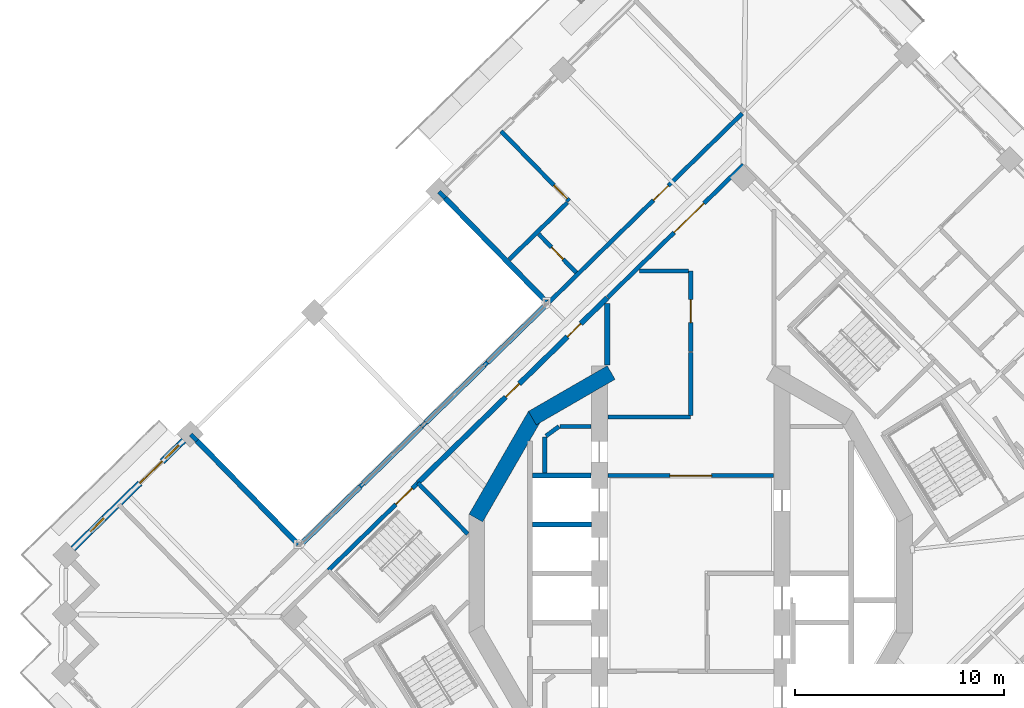
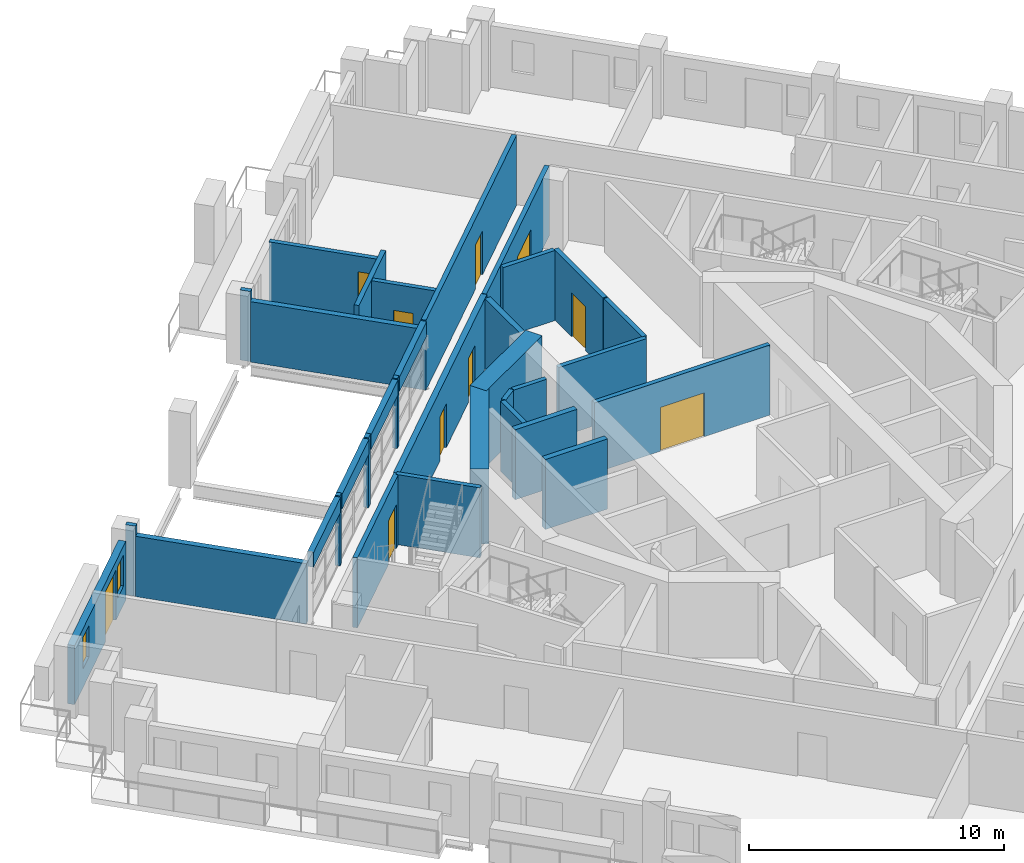
# One storey, part 11 of 21: 33 walls, 10 doors, 2 windows, 12 openings.
"""IFC4 building model written with IfcOpenShell, lengths in metres."""

from ifc_helpers import new_model, si_unit, direction, frame, frame_2d, origin, place, context, subcontext, project, spatial, rectangle, extrude, material, layer, layer_set, type_object, element, fill, save


model = new_model("IFC4")

# Units and contexts
model_context = context("Model", 3, precision=1e-05, world=origin(), true_north=direction((0.0, 1.0)))
body_context = subcontext(model_context, "Body", "Model", "MODEL_VIEW")
ifc_project = project(units=[si_unit("LENGTHUNIT", "METRE"), si_unit("AREAUNIT", "SQUARE_METRE"), si_unit("VOLUMEUNIT", "CUBIC_METRE"), si_unit("PLANEANGLEUNIT", "RADIAN"), si_unit("MASSUNIT", "GRAM", prefix="KILO")], contexts=[model_context])

# Site, building, storey
site_placement = place(None, origin())
site = spatial("IfcSite", under=ifc_project, at=site_placement, CompositionType="ELEMENT")
building_placement = place(site_placement, origin())
building = spatial("IfcBuilding", under=site, at=building_placement, Name="Cantera Rosa Tower", CompositionType="ELEMENT")
storey_placement = place(building_placement, frame((0.0, 0.0, 234.199951171875)))
storey = spatial("IfcBuildingStorey", under=building, at=storey_placement, Name="L51", CompositionType="ELEMENT", Elevation=234.199951171875)

# Wall, opening, door
ifc_material_1 = material(Name="Gypsum board partition")
ifc_layer_1 = layer(ifc_material_1, 0.199951171875)
ifc_layer_set_1 = layer_set([ifc_layer_1], Name="CORRIDOR WALL 200 H3350")
wall_type_1 = type_object("IfcWallType", Name="CORRIDOR WALL 200 H3350", PredefinedType="PARTITIONING", material=ifc_layer_set_1)
wall_1_placement = place(storey_placement, frame((-3.969970703125, 4.699951171875, 0.0), z_axis=(0.0, 0.0, 1.0), x_axis=(1.0, 0.0, 0.0)))
wall_1 = element("IfcWall", 1, at=wall_1_placement, inside=storey, type_object=wall_type_1, Name="CORRIDOR WALL L51-050", PredefinedType="PARTITIONING", context=body_context, shape_type="SweptSolid", body=[
    extrude(rectangle(XDim=7.93994140625, YDim=0.199951171875, at=frame_2d((3.969970703125, 0.0))), origin(), (0.0, 0.0, 1.0), 3.35009765625),
])
opening_1_placement = place(wall_1_placement, frame((2.969970703125, 0.0, 0.0)))
opening_1 = element("IfcOpeningElement", 2, at=opening_1_placement, cuts=wall_1, Name="Opening L51-014", PredefinedType="OPENING", context=body_context, shape_type="SweptSolid", body=[
    extrude(rectangle(XDim=2.0, YDim=2.10009765625, at=frame_2d((1.0, 1.050048828125))), frame((0.0, 0.10986328125, 0.0), z_axis=(0.0, -1.0, 0.0), x_axis=(1.0, 0.0, 0.0)), (0.0, 0.0, 1.0), 0.219970703125),
])
ifc_material_2 = material(Name="Steel S355J2 (EN 10025-2)", Category="steel")
door_type_1 = type_object("IfcDoorType", Name="LOBBY SCREEN DOOR 2000x2100", OperationType="NOTDEFINED", PredefinedType="DOOR", material=ifc_material_2)
door_1_placement = place(opening_1_placement, origin())
door_1 = element("IfcDoor", 3, at=door_1_placement, inside=storey, type_object=door_type_1, Name="DOOR L51-014", OperationType="NOTDEFINED", OverallHeight=2.10009765625, OverallWidth=2.0, PredefinedType="DOOR", context=body_context, shape_type="SweptSolid", body=[
    extrude(rectangle(XDim=2.0, YDim=2.10009765625, at=frame_2d((1.0, 1.050048828125))), frame((0.0, 0.02490234375, 0.0), z_axis=(0.0, -1.0, 0.0), x_axis=(1.0, 0.0, 0.0)), (0.0, 0.0, 1.0), 0.050048828125),
])
fill(opening_1, door_1)

# Walls
wall_2_placement = place(storey_placement, frame((-3.969970703125, 7.5, 0.0), z_axis=(0.0, 0.0, 1.0), x_axis=(1.0, 0.0, 0.0)))
element("IfcWall", 4, at=wall_2_placement, inside=storey, type_object=wall_type_1, Name="CORRIDOR WALL L51-051", PredefinedType="PARTITIONING", context=body_context, shape_type="SweptSolid", body=[
    extrude(rectangle(XDim=3.969970703125, YDim=0.199951171875, at=frame_2d((1.98486328125, 0.0))), origin(), (0.0, 0.0, 1.0), 3.35009765625),
])
wall_3_placement = place(storey_placement, frame((0.0, 7.580078125, 0.0), z_axis=(0.0, 0.0, 1.0), x_axis=(0.0, 1.0, 0.0)))
element("IfcWall", 5, at=wall_3_placement, inside=storey, type_object=wall_type_1, Name="CORRIDOR WALL L51-059", PredefinedType="PARTITIONING", context=body_context, shape_type="SweptSolid", body=[
    extrude(rectangle(XDim=3.01513671875, YDim=0.199951171875, at=frame_2d((1.507568359375, 0.0))), origin(), (0.0, 0.0, 1.0), 3.35009765625),
])

# Wall, opening, door
wall_4_placement = place(storey_placement, frame((0.0, 10.6552734375, 0.0), z_axis=(0.0, 0.0, 1.0), x_axis=(0.0, 1.0, 0.0)))
wall_4 = element("IfcWall", 6, at=wall_4_placement, inside=storey, type_object=wall_type_1, Name="CORRIDOR WALL L51-060", PredefinedType="PARTITIONING", context=body_context, shape_type="SweptSolid", body=[
    extrude(rectangle(XDim=3.8447265625, YDim=0.199951171875, at=frame_2d((1.92236328125, 0.0))), origin(), (0.0, 0.0, 1.0), 3.35009765625),
])
opening_2_placement = place(wall_4_placement, frame((1.372314453125, 0.0, 0.0)))
opening_2 = element("IfcOpeningElement", 7, at=opening_2_placement, cuts=wall_4, Name="Opening L51-018", PredefinedType="OPENING", context=body_context, shape_type="SweptSolid", body=[
    extrude(rectangle(XDim=1.10009765625, YDim=2.10009765625, at=frame_2d((0.550048828125, 1.050048828125))), frame((0.0, 0.10986328125, 0.0), z_axis=(0.0, -1.0, 0.0), x_axis=(1.0, 0.0, 0.0)), (0.0, 0.0, 1.0), 0.219970703125),
])
ifc_material_3 = material(Name="Timber door leaf", Category="wood")
door_type_2 = type_object("IfcDoorType", Name="ROOM DOOR 1100x2100", OperationType="NOTDEFINED", PredefinedType="DOOR", material=ifc_material_3)
door_2_placement = place(opening_2_placement, origin())
door_2 = element("IfcDoor", 8, at=door_2_placement, inside=storey, type_object=door_type_2, Name="DOOR L51-018", OperationType="NOTDEFINED", OverallHeight=2.10009765625, OverallWidth=1.10009765625, PredefinedType="DOOR", context=body_context, shape_type="SweptSolid", body=[
    extrude(rectangle(XDim=1.10009765625, YDim=2.10009765625, at=frame_2d((0.550048828125, 1.050048828125))), frame((0.0, 0.02490234375, 0.0), z_axis=(0.0, -1.0, 0.0), x_axis=(1.0, 0.0, 0.0)), (0.0, 0.0, 1.0), 0.050048828125),
])
fill(opening_2, door_2)

# Wall
wall_5_placement = place(storey_placement, frame((-0.10009765625, 14.5, 0.0), z_axis=(0.0, 0.0, 1.0), x_axis=(-1.0, 0.0, 0.0)))
element("IfcWall", 9, at=wall_5_placement, inside=storey, type_object=wall_type_1, Name="CORRIDOR WALL L51-061", PredefinedType="PARTITIONING", context=body_context, shape_type="SweptSolid", body=[
    extrude(rectangle(XDim=2.34765625, YDim=0.199951171875, at=frame_2d((1.173828125, 0.0))), origin(), (0.0, 0.0, 1.0), 3.35009765625),
])

# Wall, opening, door
wall_6_placement = place(storey_placement, frame((2.5263671875, 19.593994140625, 0.0), z_axis=(0.0, 0.0, 1.0), x_axis=(-0.715291692415, -0.698826011796, 0.0)))
wall_6 = element("IfcWall", 10, at=wall_6_placement, inside=storey, type_object=wall_type_1, Name="CORRIDOR WALL L51-066", PredefinedType="PARTITIONING", context=body_context, shape_type="SweptSolid", body=[
    extrude(rectangle(XDim=9.10400390625, YDim=0.199951171875, at=frame_2d((4.552001953125, 0.0))), origin(), (0.0, 0.0, 1.0), 3.35009765625),
])
opening_3_placement = place(wall_6_placement, frame((2.644775390625, 0.0, 0.0)))
opening_3 = element("IfcOpeningElement", 11, at=opening_3_placement, cuts=wall_6, Name="Opening L51-013", PredefinedType="OPENING", context=body_context, shape_type="SweptSolid", body=[
    extrude(rectangle(XDim=2.0, YDim=2.10009765625, at=frame_2d((1.0, 1.050048828125))), frame((0.0, 0.10986328125, 0.0), z_axis=(0.0, -1.0, 0.0), x_axis=(1.0, 0.0, 0.0)), (0.0, 0.0, 1.0), 0.219970703125),
])
door_3_placement = place(opening_3_placement, origin())
door_3 = element("IfcDoor", 12, at=door_3_placement, inside=storey, type_object=door_type_1, Name="DOOR L51-013", OperationType="NOTDEFINED", OverallHeight=2.10009765625, OverallWidth=2.0, PredefinedType="DOOR", context=body_context, shape_type="SweptSolid", body=[
    extrude(rectangle(XDim=2.0, YDim=2.10009765625, at=frame_2d((1.0, 1.050048828125))), frame((0.0, 0.02490234375, 0.0), z_axis=(0.0, -1.0, 0.0), x_axis=(1.0, 0.0, 0.0)), (0.0, 0.0, 1.0), 0.050048828125),
])
fill(opening_3, door_3)

wall_7_placement = place(storey_placement, frame((2.469970703125, 22.0556640625, 0.0), z_axis=(0.0, 0.0, 1.0), x_axis=(-0.715286788114, -0.698831031616, 0.0)))
wall_7 = element("IfcWall", 13, at=wall_7_placement, inside=storey, type_object=wall_type_1, Name="CORRIDOR WALL L51-067", PredefinedType="PARTITIONING", context=body_context, shape_type="SweptSolid", body=[
    extrude(rectangle(XDim=13.144775390625, YDim=0.199951171875, at=frame_2d((6.572265625, 0.0))), origin(), (0.0, 0.0, 1.0), 3.35009765625),
])
opening_4_placement = place(wall_7_placement, frame((4.949951171875, 0.0, 0.0)))
opening_4 = element("IfcOpeningElement", 14, at=opening_4_placement, cuts=wall_7, Name="Opening L51-034", PredefinedType="OPENING", context=body_context, shape_type="SweptSolid", body=[
    extrude(rectangle(XDim=1.0, YDim=2.10009765625, at=frame_2d((0.5, 1.050048828125))), frame((0.0, 0.10986328125, 0.0), z_axis=(0.0, -1.0, 0.0), x_axis=(1.0, 0.0, 0.0)), (0.0, 0.0, 1.0), 0.219970703125),
])
ifc_material_4 = material(Name="Timber door leaf", Category="wood")
door_type_3 = type_object("IfcDoorType", Name="ENTRANCE DOOR 1000x2100", OperationType="NOTDEFINED", PredefinedType="DOOR", material=ifc_material_4)
door_4_placement = place(opening_4_placement, origin())
door_4 = element("IfcDoor", 15, at=door_4_placement, inside=storey, type_object=door_type_3, Name="DOOR L51-034", OperationType="NOTDEFINED", OverallHeight=2.10009765625, OverallWidth=1.0, PredefinedType="DOOR", context=body_context, shape_type="SweptSolid", body=[
    extrude(rectangle(XDim=1.0, YDim=2.10009765625, at=frame_2d((0.5, 1.050048828125))), frame((0.0, 0.02490234375, 0.0), z_axis=(0.0, -1.0, 0.0), x_axis=(1.0, 0.0, 0.0)), (0.0, 0.0, 1.0), 0.050048828125),
])
fill(opening_4, door_4)

# Walls
wall_8_placement = place(storey_placement, frame((-9.740478515625, 10.1259765625, 0.0), z_axis=(0.0, 0.0, 1.0), x_axis=(-0.715454268006, -0.698659566879, 0.0)))
element("IfcWall", 16, at=wall_8_placement, inside=storey, type_object=wall_type_1, Name="CORRIDOR WALL L51-068", PredefinedType="PARTITIONING", context=body_context, shape_type="SweptSolid", body=[
    extrude(rectangle(XDim=0.218017578125, YDim=0.199951171875, at=frame_2d((0.10888671875, 0.0))), origin(), (0.0, 0.0, 1.0), 3.35009765625),
])
wall_9_placement = place(storey_placement, frame((-12.68896484375, 7.245361328125, 0.0), z_axis=(0.0, 0.0, 1.0), x_axis=(-0.715356884731, -0.698759277196, 0.0)))
element("IfcWall", 17, at=wall_9_placement, inside=storey, type_object=wall_type_1, Name="CORRIDOR WALL L51-069", PredefinedType="PARTITIONING", context=body_context, shape_type="SweptSolid", body=[
    extrude(rectangle(XDim=0.294189453125, YDim=0.199951171875, at=frame_2d((0.14697265625, 0.0))), origin(), (0.0, 0.0, 1.0), 3.35009765625),
])
wall_10_placement = place(storey_placement, frame((-15.69189453125, 4.311767578125, 0.0), z_axis=(0.0, 0.0, 1.0), x_axis=(-0.714347158541, -0.699791495436, 0.0)))
element("IfcWall", 18, at=wall_10_placement, inside=storey, type_object=wall_type_1, Name="CORRIDOR WALL L51-070", PredefinedType="PARTITIONING", context=body_context, shape_type="SweptSolid", body=[
    extrude(rectangle(XDim=0.218017578125, YDim=0.199951171875, at=frame_2d((0.10888671875, 0.0))), origin(), (0.0, 0.0, 1.0), 3.35009765625),
])

# Wall, openings, windows, door
ifc_material_5 = material(Name="Hollow clay masonry with cantera stone cladding", Category="masonry")
ifc_layer_2 = layer(ifc_material_5, 0.300048828125)
ifc_layer_set_2 = layer_set([ifc_layer_2], Name="EW-LOGGIA 300 H2820")
wall_type_2 = type_object("IfcWallType", Name="EW-LOGGIA 300 H2820", PredefinedType="SOLIDWALL", material=ifc_layer_set_2)
wall_11_placement = place(storey_placement, frame((-24.308349609375, 6.37841796875, 0.0), z_axis=(0.0, 0.0, 1.0), x_axis=(-0.715300826176, -0.698816662703, 0.0)))
wall_11 = element("IfcWall", 19, at=wall_11_placement, inside=storey, type_object=wall_type_2, Name="EN-L51-W11", PredefinedType="SOLIDWALL", context=body_context, shape_type="SweptSolid", body=[
    extrude(rectangle(XDim=7.420166015625, YDim=0.300048828125, at=frame_2d((3.7099609375, 0.0))), origin(), (0.0, 0.0, 1.0), 2.820068359375),
])
opening_5_placement = place(wall_11_placement, frame((0.330078125, 0.0, 0.89990234375)))
opening_5 = element("IfcOpeningElement", 20, at=opening_5_placement, cuts=wall_11, Name="Opening L51-W19", PredefinedType="OPENING", context=body_context, shape_type="SweptSolid", body=[
    extrude(rectangle(XDim=0.89990234375, YDim=1.5, at=frame_2d((0.449951171875, 0.75))), frame((0.0, 0.159912109375, 0.0), z_axis=(0.0, -1.0, 0.0), x_axis=(1.0, 0.0, 0.0)), (0.0, 0.0, 1.0), 0.320068359375),
])
opening_6_placement = place(wall_11_placement, frame((1.429931640625, 0.0, 0.0)))
opening_6 = element("IfcOpeningElement", 21, at=opening_6_placement, cuts=wall_11, Name="Opening L51-TD20", PredefinedType="OPENING", context=body_context, shape_type="SweptSolid", body=[
    extrude(rectangle(XDim=1.5, YDim=2.39990234375, at=frame_2d((0.75, 1.199951171875))), frame((0.0, 0.159912109375, 0.0), z_axis=(0.0, -1.0, 0.0), x_axis=(1.0, 0.0, 0.0)), (0.0, 0.0, 1.0), 0.320068359375),
])
opening_7_placement = place(wall_11_placement, frame((5.340087890625, 0.0, 0.89990234375)))
opening_7 = element("IfcOpeningElement", 22, at=opening_7_placement, cuts=wall_11, Name="Opening L51-W21", PredefinedType="OPENING", context=body_context, shape_type="SweptSolid", body=[
    extrude(rectangle(XDim=0.89990234375, YDim=1.5, at=frame_2d((0.449951171875, 0.75))), frame((0.0, 0.159912109375, 0.0), z_axis=(0.0, -1.0, 0.0), x_axis=(1.0, 0.0, 0.0)), (0.0, 0.0, 1.0), 0.320068359375),
])
ifc_material_6 = material(Name="Aluminium frame with clear glass", Category="aluminium")
window_type = type_object("IfcWindowType", Name="Residential window 900x1500", PartitioningType="SINGLE_PANEL", PredefinedType="WINDOW", material=ifc_material_6)
window_1_placement = place(opening_5_placement, origin())
window_1 = element("IfcWindow", 23, at=window_1_placement, inside=storey, type_object=window_type, Name="WINDOW L51-W19", OverallHeight=1.5, OverallWidth=0.89990234375, PartitioningType="SINGLE_PANEL", PredefinedType="WINDOW", context=body_context, shape_type="SweptSolid", body=[
    extrude(rectangle(XDim=0.89990234375, YDim=1.5, at=frame_2d((0.449951171875, 0.75))), frame((0.0, 0.030029296875, 0.0), z_axis=(0.0, -1.0, 0.0), x_axis=(1.0, 0.0, 0.0)), (0.0, 0.0, 1.0), 0.06005859375),
])
fill(opening_5, window_1)
window_2_placement = place(opening_7_placement, origin())
window_2 = element("IfcWindow", 24, at=window_2_placement, inside=storey, type_object=window_type, Name="WINDOW L51-W21", OverallHeight=1.5, OverallWidth=0.89990234375, PartitioningType="SINGLE_PANEL", PredefinedType="WINDOW", context=body_context, shape_type="SweptSolid", body=[
    extrude(rectangle(XDim=0.89990234375, YDim=1.5, at=frame_2d((0.449951171875, 0.75))), frame((0.0, 0.030029296875, 0.0), z_axis=(0.0, -1.0, 0.0), x_axis=(1.0, 0.0, 0.0)), (0.0, 0.0, 1.0), 0.06005859375),
])
fill(opening_7, window_2)
ifc_material_7 = material(Name="Aluminium frame with clear glass", Category="aluminium")
door_type_4 = type_object("IfcDoorType", Name="TD-R 1500x2400", OperationType="NOTDEFINED", PredefinedType="DOOR", material=ifc_material_7)
door_5_placement = place(opening_6_placement, origin())
door_5 = element("IfcDoor", 25, at=door_5_placement, inside=storey, type_object=door_type_4, Name="LOGGIA DOOR L51-TD20", OperationType="SLIDING_TO_LEFT", OverallHeight=2.39990234375, OverallWidth=1.5, PredefinedType="DOOR", context=body_context, shape_type="SweptSolid", body=[
    extrude(rectangle(XDim=1.5, YDim=2.39990234375, at=frame_2d((0.75, 1.199951171875))), frame((0.0, 0.02490234375, 0.0), z_axis=(0.0, -1.0, 0.0), x_axis=(1.0, 0.0, 0.0)), (0.0, 0.0, 1.0), 0.050048828125),
])
fill(opening_6, door_5)

# Walls
ifc_material_8 = material(Name="Concrete C40/50", Category="concrete")
ifc_layer_3 = layer(ifc_material_8, 0.25)
ifc_layer_set_3 = layer_set([ifc_layer_3], Name="EW-POCKET CHEEK 250 H2890")
wall_type_3 = type_object("IfcWallType", Name="EW-POCKET CHEEK 250 H2890", PredefinedType="SOLIDWALL", material=ifc_layer_set_3)
wall_12_placement = place(storey_placement, frame((-11.769775390625, 17.999755859375, 0.0), z_axis=(0.0, 0.0, 1.0), x_axis=(0.698821460183, -0.715296139223, 0.0)))
element("IfcWall", 26, at=wall_12_placement, inside=storey, type_object=wall_type_3, Name="POCKET CHEEK A L51", PredefinedType="SOLIDWALL", context=body_context, shape_type="SweptSolid", body=[
    extrude(rectangle(XDim=6.9501953125, YDim=0.25, at=frame_2d((3.47509765625, 0.0))), origin(), (0.0, 0.0, 1.0), 2.89013671875),
])
wall_13_placement = place(storey_placement, frame((-23.672119140625, 6.37109375, 0.0), z_axis=(0.0, 0.0, 1.0), x_axis=(0.69883901927, -0.715278984135, 0.0)))
element("IfcWall", 27, at=wall_13_placement, inside=storey, type_object=wall_type_3, Name="POCKET CHEEK B L51", PredefinedType="SOLIDWALL", context=body_context, shape_type="SweptSolid", body=[
    extrude(rectangle(XDim=6.949951171875, YDim=0.25, at=frame_2d((3.47509765625, 0.0))), origin(), (0.0, 0.0, 1.0), 2.89013671875),
])
ifc_material_9 = material(Name="Hollow clay masonry with cantera stone cladding", Category="masonry")
ifc_layer_4 = layer(ifc_material_9, 0.25)
ifc_layer_set_4 = layer_set([ifc_layer_4], Name="EW-POCKET REAR 250")
wall_type_4 = type_object("IfcWallType", Name="EW-POCKET REAR 250", PredefinedType="SOLIDWALL", material=ifc_layer_set_4)
wall_14_placement = place(storey_placement, frame((-6.932373046875, 12.86962890625, 2.592041015625), z_axis=(0.0, 0.0, 1.0), x_axis=(-0.715298105305, -0.698819447745, 0.0)))
element("IfcWall", 28, at=wall_14_placement, inside=storey, type_object=wall_type_4, Name="POCKET SPANDREL L51-1", PredefinedType="SOLIDWALL", context=body_context, shape_type="SweptSolid", body=[
    extrude(rectangle(XDim=3.926025390625, YDim=0.25, at=frame_2d((1.962890625, 0.0))), origin(), (0.0, 0.0, 1.0), 0.7080078125),
])
wall_15_placement = place(storey_placement, frame((-9.896484375, 9.9736328125, 2.592041015625), z_axis=(0.0, 0.0, 1.0), x_axis=(-0.715282395299, -0.698835527843, 0.0)))
element("IfcWall", 29, at=wall_15_placement, inside=storey, type_object=wall_type_4, Name="POCKET SPANDREL L51-2", PredefinedType="SOLIDWALL", context=body_context, shape_type="SweptSolid", body=[
    extrude(rectangle(XDim=3.904052734375, YDim=0.25, at=frame_2d((1.9521484375, 0.0))), origin(), (0.0, 0.0, 1.0), 0.7080078125),
])
wall_16_placement = place(storey_placement, frame((-12.8994140625, 7.039794921875, 2.592041015625), z_axis=(0.0, 0.0, 1.0), x_axis=(-0.7153136553, -0.698803530716, 0.0)))
element("IfcWall", 30, at=wall_16_placement, inside=storey, type_object=wall_type_4, Name="POCKET SPANDREL L51-3", PredefinedType="SOLIDWALL", context=body_context, shape_type="SweptSolid", body=[
    extrude(rectangle(XDim=3.90380859375, YDim=0.25, at=frame_2d((1.951904296875, 0.0))), origin(), (0.0, 0.0, 1.0), 0.7080078125),
])
wall_17_placement = place(storey_placement, frame((-15.84765625, 4.159423828125, 2.592041015625), z_axis=(0.0, 0.0, 1.0), x_axis=(-0.715298105305, -0.698819447745, 0.0)))
element("IfcWall", 31, at=wall_17_placement, inside=storey, type_object=wall_type_4, Name="POCKET SPANDREL L51-4", PredefinedType="SOLIDWALL", context=body_context, shape_type="SweptSolid", body=[
    extrude(rectangle(XDim=3.926025390625, YDim=0.25, at=frame_2d((1.962890625, 0.0))), origin(), (0.0, 0.0, 1.0), 0.7080078125),
])

# Wall, opening, door
ifc_material_10 = material(Name="Gypsum board partition")
ifc_layer_5 = layer(ifc_material_10, 0.199951171875)
ifc_layer_set_5 = layer_set([ifc_layer_5], Name="PARTITION 200 H2850")
wall_type_5 = type_object("IfcWallType", Name="PARTITION 200 H2850", PredefinedType="PARTITIONING", material=ifc_layer_set_5)
wall_18_placement = place(storey_placement, frame((-9.087646484375, 21.207275390625, 0.0), z_axis=(0.0, 0.0, 1.0), x_axis=(0.698824761261, -0.71529291416, 0.0)))
wall_18 = element("IfcWall", 32, at=wall_18_placement, inside=storey, type_object=wall_type_5, Name="PARTITION L51-026", PredefinedType="PARTITIONING", context=body_context, shape_type="SweptSolid", body=[
    extrude(rectangle(XDim=4.669921875, YDim=0.199951171875, at=frame_2d((2.3349609375, 0.0))), origin(), (0.0, 0.0, 1.0), 2.85009765625),
])
opening_8_placement = place(wall_18_placement, frame((3.6201171875, 0.0, 0.0)))
opening_8 = element("IfcOpeningElement", 33, at=opening_8_placement, cuts=wall_18, Name="Opening L51-036", PredefinedType="OPENING", context=body_context, shape_type="SweptSolid", body=[
    extrude(rectangle(XDim=0.89990234375, YDim=2.10009765625, at=frame_2d((0.449951171875, 1.050048828125))), frame((0.0, 0.10986328125, 0.0), z_axis=(0.0, -1.0, 0.0), x_axis=(1.0, 0.0, 0.0)), (0.0, 0.0, 1.0), 0.219970703125),
])
ifc_material_11 = material(Name="Timber door leaf", Category="wood")
door_type_5 = type_object("IfcDoorType", Name="ROOM DOOR 900x2100", OperationType="NOTDEFINED", PredefinedType="DOOR", material=ifc_material_11)
door_6_placement = place(opening_8_placement, origin())
door_6 = element("IfcDoor", 34, at=door_6_placement, inside=storey, type_object=door_type_5, Name="DOOR L51-036", OperationType="NOTDEFINED", OverallHeight=2.10009765625, OverallWidth=0.89990234375, PredefinedType="DOOR", context=body_context, shape_type="SweptSolid", body=[
    extrude(rectangle(XDim=0.89990234375, YDim=2.10009765625, at=frame_2d((0.449951171875, 1.050048828125))), frame((0.0, 0.02490234375, 0.0), z_axis=(0.0, -1.0, 0.0), x_axis=(1.0, 0.0, 0.0)), (0.0, 0.0, 1.0), 0.050048828125),
])
fill(opening_8, door_6)

# Wall
ifc_material_12 = material(Name="Gypsum board partition")
ifc_layer_6 = layer(ifc_material_12, 0.199951171875)
ifc_layer_set_6 = layer_set([ifc_layer_6], Name="PARTITION 200 H3350")
wall_type_6 = type_object("IfcWallType", Name="PARTITION 200 H3350", PredefinedType="PARTITIONING", material=ifc_layer_set_6)
wall_19_placement = place(storey_placement, frame((-23.965576171875, 6.67138671875, 0.0), z_axis=(0.0, 0.0, 1.0), x_axis=(0.698919428836, -0.715200413867, 0.0)))
element("IfcWall", 35, at=wall_19_placement, inside=storey, type_object=wall_type_6, Name="PARTITION L51-002", PredefinedType="PARTITIONING", context=body_context, shape_type="SweptSolid", body=[
    extrude(rectangle(XDim=0.419921875, YDim=0.199951171875, at=frame_2d((0.2099609375, 0.0))), origin(), (0.0, 0.0, 1.0), 3.35009765625),
])

# Wall, opening, door
wall_20_placement = place(storey_placement, frame((-7.285400390625, 16.271484375, 0.0), z_axis=(0.0, 0.0, 1.0), x_axis=(0.698826236875, -0.715291472517, 0.0)))
wall_20 = element("IfcWall", 36, at=wall_20_placement, inside=storey, type_object=wall_type_6, Name="PARTITION L51-034", PredefinedType="PARTITIONING", context=body_context, shape_type="SweptSolid", body=[
    extrude(rectangle(XDim=2.580078125, YDim=0.199951171875, at=frame_2d((1.2900390625, 0.0))), origin(), (0.0, 0.0, 1.0), 3.35009765625),
])
opening_9_placement = place(wall_20_placement, frame((0.8798828125, 0.0, 0.0)))
opening_9 = element("IfcOpeningElement", 37, at=opening_9_placement, cuts=wall_20, Name="Opening L51-035", PredefinedType="OPENING", context=body_context, shape_type="SweptSolid", body=[
    extrude(rectangle(XDim=0.800048828125, YDim=2.10009765625, at=frame_2d((0.39990234375, 1.050048828125))), frame((0.0, 0.10986328125, 0.0), z_axis=(0.0, -1.0, 0.0), x_axis=(1.0, 0.0, 0.0)), (0.0, 0.0, 1.0), 0.219970703125),
])
ifc_material_13 = material(Name="Timber door leaf", Category="wood")
door_type_6 = type_object("IfcDoorType", Name="BATHROOM DOOR 800x2100", OperationType="NOTDEFINED", PredefinedType="DOOR", material=ifc_material_13)
door_7_placement = place(opening_9_placement, origin())
door_7 = element("IfcDoor", 38, at=door_7_placement, inside=storey, type_object=door_type_6, Name="DOOR L51-035", OperationType="NOTDEFINED", OverallHeight=2.10009765625, OverallWidth=0.800048828125, PredefinedType="DOOR", context=body_context, shape_type="SweptSolid", body=[
    extrude(rectangle(XDim=0.800048828125, YDim=2.10009765625, at=frame_2d((0.39990234375, 1.050048828125))), frame((0.0, 0.02490234375, 0.0), z_axis=(0.0, -1.0, 0.0), x_axis=(1.0, 0.0, 0.0)), (0.0, 0.0, 1.0), 0.050048828125),
])
fill(opening_9, door_7)

# Walls
wall_21_placement = place(storey_placement, frame((-7.0, 4.824951171875, 0.0), z_axis=(0.0, 0.0, 1.0), x_axis=(0.0, 1.0, 0.0)))
element("IfcWall", 39, at=wall_21_placement, inside=storey, type_object=wall_type_6, Name="PARTITION L51-037", PredefinedType="PARTITIONING", context=body_context, shape_type="SweptSolid", body=[
    extrude(rectangle(XDim=1.72509765625, YDim=0.199951171875, at=frame_2d((0.862548828125, 0.0))), origin(), (0.0, 0.0, 1.0), 3.35009765625),
])
wall_22_placement = place(storey_placement, frame((-6.935302734375, 6.59716796875, 0.0), z_axis=(0.0, 0.0, 1.0), x_axis=(0.808227862651, 0.588869868506, 0.0)))
element("IfcWall", 40, at=wall_22_placement, inside=storey, type_object=wall_type_6, Name="PARTITION L51-038", PredefinedType="PARTITIONING", context=body_context, shape_type="SweptSolid", body=[
    extrude(rectangle(XDim=0.76904296875, YDim=0.199951171875, at=frame_2d((0.384521484375, 0.0))), origin(), (0.0, 0.0, 1.0), 3.35009765625),
])
wall_23_placement = place(storey_placement, frame((-11.769775390625, 17.999755859375, 0.0), z_axis=(0.0, 0.0, 1.0), x_axis=(-0.698919428836, 0.715200413867, 0.0)))
element("IfcWall", 41, at=wall_23_placement, inside=storey, type_object=wall_type_6, Name="PARTITION L51-039", PredefinedType="PARTITIONING", context=body_context, shape_type="SweptSolid", body=[
    extrude(rectangle(XDim=0.419921875, YDim=0.199951171875, at=frame_2d((0.2099609375, 0.0))), origin(), (0.0, 0.0, 1.0), 3.35009765625),
])
wall_24_placement = place(storey_placement, frame((-6.273681640625, 7.050048828125, 0.0), z_axis=(0.0, 0.0, 1.0), x_axis=(1.0, 0.0, 0.0)))
element("IfcWall", 42, at=wall_24_placement, inside=storey, type_object=wall_type_6, Name="PARTITION L51-041", PredefinedType="PARTITIONING", context=body_context, shape_type="SweptSolid", body=[
    extrude(rectangle(XDim=1.49365234375, YDim=0.199951171875, at=frame_2d((0.746826171875, 0.0))), origin(), (0.0, 0.0, 1.0), 3.35009765625),
])
wall_25_placement = place(storey_placement, frame((-5.909912109375, 17.782958984375, 0.0), z_axis=(0.0, 0.0, 1.0), x_axis=(-0.715311491294, -0.698805745843, 0.0)))
element("IfcWall", 43, at=wall_25_placement, inside=storey, type_object=wall_type_6, Name="PARTITION L51-042", PredefinedType="PARTITIONING", context=body_context, shape_type="SweptSolid", body=[
    extrude(rectangle(XDim=3.90478515625, YDim=0.199951171875, at=frame_2d((1.952392578125, 0.0))), origin(), (0.0, 0.0, 1.0), 3.35009765625),
])
ifc_material_14 = material(Name="Concrete C60/75", Category="concrete")
ifc_layer_7 = layer(ifc_material_14, 0.75)
ifc_layer_set_7 = layer_set([ifc_layer_7], Name="RC CORE WALL 750 C60/75")
wall_type_7 = type_object("IfcWallType", Name="RC CORE WALL 750 C60/75", PredefinedType="SHEAR", material=ifc_layer_set_7)
wall_26_placement = place(storey_placement, frame((-10.300537109375, 2.659423828125, 0.0), z_axis=(0.0, 0.0, 1.0), x_axis=(0.500021842983, 0.866012792365, 0.0)))
element("IfcWall", 44, at=wall_26_placement, inside=storey, type_object=wall_type_7, Name="CW-W4 L51", PredefinedType="SHEAR", context=body_context, shape_type="SweptSolid", body=[
    extrude(rectangle(XDim=5.694091796875, YDim=0.75, at=frame_2d((2.84716796875, 0.0))), origin(), (0.0, 0.0, 1.0), 3.60009765625),
])
wall_27_placement = place(storey_placement, frame((-7.590576171875, 7.453369140625, 0.0), z_axis=(0.0, 0.0, 1.0), x_axis=(0.866013176292, 0.50002117804, 0.0)))
element("IfcWall", 45, at=wall_27_placement, inside=storey, type_object=wall_type_7, Name="CW-W5 L51", PredefinedType="SHEAR", context=body_context, shape_type="SweptSolid", body=[
    extrude(rectangle(XDim=4.362548828125, YDim=0.75, at=frame_2d((2.18115234375, 0.0))), origin(), (0.0, 0.0, 1.0), 3.60009765625),
])
ifc_material_15 = material(Name="Masonry blockwork", Category="masonry")
ifc_layer_8 = layer(ifc_material_15, 0.25)
ifc_layer_set_8 = layer_set([ifc_layer_8], Name="SHAFT WALL 250 H3350")
wall_type_8 = type_object("IfcWallType", Name="SHAFT WALL 250 H3350", PredefinedType="SOLIDWALL", material=ifc_layer_set_8)
wall_28_placement = place(storey_placement, frame((-7.574951171875, 2.35009765625, 0.0), z_axis=(0.0, 0.0, 1.0), x_axis=(1.0, 0.0, 0.0)))
element("IfcWall", 46, at=wall_28_placement, inside=storey, type_object=wall_type_8, Name="SHAFT WALL L51-031", PredefinedType="SOLIDWALL", context=body_context, shape_type="SweptSolid", body=[
    extrude(rectangle(XDim=2.824951171875, YDim=0.25, at=frame_2d((1.41259765625, 0.0))), origin(), (0.0, 0.0, 1.0), 3.35009765625),
])
wall_29_placement = place(storey_placement, frame((-7.574951171875, 4.699951171875, 0.0), z_axis=(0.0, 0.0, 1.0), x_axis=(1.0, 0.0, 0.0)))
element("IfcWall", 47, at=wall_29_placement, inside=storey, type_object=wall_type_8, Name="SHAFT WALL L51-032", PredefinedType="SOLIDWALL", context=body_context, shape_type="SweptSolid", body=[
    extrude(rectangle(XDim=2.794921875, YDim=0.25, at=frame_2d((1.3974609375, 0.0))), origin(), (0.0, 0.0, 1.0), 3.35009765625),
])

# Wall, openings, doors
wall_30_placement = place(storey_placement, frame((-4.0, 13.218017578125, 0.0), z_axis=(0.0, 0.0, 1.0), x_axis=(-0.715292314658, -0.698825374891, 0.0)))
wall_30 = element("IfcWall", 48, at=wall_30_placement, inside=storey, type_object=wall_type_8, Name="SHAFT WALL L51-048", PredefinedType="SOLIDWALL", context=body_context, shape_type="SweptSolid", body=[
    extrude(rectangle(XDim=12.691162109375, YDim=0.25, at=frame_2d((6.345703125, 0.0))), origin(), (0.0, 0.0, 1.0), 3.35009765625),
])
opening_10_placement = place(wall_30_placement, frame((1.77099609375, 0.0, 0.0)))
opening_10 = element("IfcOpeningElement", 49, at=opening_10_placement, cuts=wall_30, Name="Opening L51-008", PredefinedType="OPENING", context=body_context, shape_type="SweptSolid", body=[
    extrude(rectangle(XDim=0.89990234375, YDim=2.10009765625, at=frame_2d((0.449951171875, 1.050048828125))), frame((0.0, 0.135009765625, 0.0), z_axis=(0.0, -1.0, 0.0), x_axis=(1.0, 0.0, 0.0)), (0.0, 0.0, 1.0), 0.27001953125),
])
opening_11_placement = place(wall_30_placement, frame((5.8955078125, 0.0, 0.0)))
opening_11 = element("IfcOpeningElement", 50, at=opening_11_placement, cuts=wall_30, Name="Opening L51-051", PredefinedType="OPENING", context=body_context, shape_type="SweptSolid", body=[
    extrude(rectangle(XDim=0.89990234375, YDim=2.10009765625, at=frame_2d((0.449951171875, 1.050048828125))), frame((0.0, 0.135009765625, 0.0), z_axis=(0.0, -1.0, 0.0), x_axis=(1.0, 0.0, 0.0)), (0.0, 0.0, 1.0), 0.27001953125),
])
ifc_material_16 = material(Name="Timber door leaf", Category="wood")
door_type_7 = type_object("IfcDoorType", Name="SERVICE DOOR 900x2100", OperationType="NOTDEFINED", PredefinedType="DOOR", material=ifc_material_16)
door_8_placement = place(opening_10_placement, origin())
door_8 = element("IfcDoor", 51, at=door_8_placement, inside=storey, type_object=door_type_7, Name="RISER DOOR L51-008", OperationType="NOTDEFINED", OverallHeight=2.10009765625, OverallWidth=0.89990234375, PredefinedType="DOOR", context=body_context, shape_type="SweptSolid", body=[
    extrude(rectangle(XDim=0.89990234375, YDim=2.10009765625, at=frame_2d((0.449951171875, 1.050048828125))), frame((0.0, 0.02490234375, 0.0), z_axis=(0.0, -1.0, 0.0), x_axis=(1.0, 0.0, 0.0)), (0.0, 0.0, 1.0), 0.050048828125),
])
fill(opening_10, door_8)
door_9_placement = place(opening_11_placement, origin())
door_9 = element("IfcDoor", 52, at=door_9_placement, inside=storey, type_object=door_type_7, Name="RISER DOOR L51-051", OperationType="NOTDEFINED", OverallHeight=2.10009765625, OverallWidth=0.89990234375, PredefinedType="DOOR", context=body_context, shape_type="SweptSolid", body=[
    extrude(rectangle(XDim=0.89990234375, YDim=2.10009765625, at=frame_2d((0.449951171875, 1.050048828125))), frame((0.0, 0.02490234375, 0.0), z_axis=(0.0, -1.0, 0.0), x_axis=(1.0, 0.0, 0.0)), (0.0, 0.0, 1.0), 0.050048828125),
])
fill(opening_11, door_9)

# Wall
wall_31_placement = place(storey_placement, frame((-4.0, 12.93798828125, 0.0), z_axis=(0.0, 0.0, 1.0), x_axis=(0.0, -1.0, 0.0)))
element("IfcWall", 53, at=wall_31_placement, inside=storey, type_object=wall_type_8, Name="SHAFT WALL L51-049", PredefinedType="SOLIDWALL", context=body_context, shape_type="SweptSolid", body=[
    extrude(rectangle(XDim=2.94384765625, YDim=0.25, at=frame_2d((1.471923828125, 0.0))), origin(), (0.0, 0.0, 1.0), 3.35009765625),
])

# Wall, opening, door
ifc_material_17 = material(Name="Concrete C50/60", Category="concrete")
ifc_layer_9 = layer(ifc_material_17, 0.199951171875)
ifc_layer_set_9 = layer_set([ifc_layer_9], Name="STAIR WALL 200 H3350")
wall_type_9 = type_object("IfcWallType", Name="STAIR WALL 200 H3350", PredefinedType="SOLIDWALL", material=ifc_layer_set_9)
wall_32_placement = place(storey_placement, frame((-13.077880859375, 4.34912109375, 0.0), z_axis=(0.0, 0.0, 1.0), x_axis=(-0.715278260946, -0.698839759471, 0.0)))
wall_32 = element("IfcWall", 54, at=wall_32_placement, inside=storey, type_object=wall_type_9, Name="STAIR WALL L51-016", PredefinedType="SOLIDWALL", context=body_context, shape_type="SweptSolid", body=[
    extrude(rectangle(XDim=6.0, YDim=0.199951171875, at=frame_2d((3.0, 0.0))), origin(), (0.0, 0.0, 1.0), 3.35009765625),
])
opening_12_placement = place(wall_32_placement, frame((0.375, 0.0, 0.0)))
opening_12 = element("IfcOpeningElement", 55, at=opening_12_placement, cuts=wall_32, Name="Opening L51-004", PredefinedType="OPENING", context=body_context, shape_type="SweptSolid", body=[
    extrude(rectangle(XDim=1.10009765625, YDim=2.10009765625, at=frame_2d((0.550048828125, 1.050048828125))), frame((0.0, 0.10986328125, 0.0), z_axis=(0.0, -1.0, 0.0), x_axis=(1.0, 0.0, 0.0)), (0.0, 0.0, 1.0), 0.219970703125),
])
ifc_material_18 = material(Name="Steel S355J2 (EN 10025-2)", Category="steel")
door_type_8 = type_object("IfcDoorType", Name="STAIR DOOR 1100x2100", OperationType="NOTDEFINED", PredefinedType="DOOR", material=ifc_material_18)
door_10_placement = place(opening_12_placement, origin())
door_10 = element("IfcDoor", 56, at=door_10_placement, inside=storey, type_object=door_type_8, Name="DOOR L51-004", OperationType="NOTDEFINED", OverallHeight=2.10009765625, OverallWidth=1.10009765625, PredefinedType="DOOR", context=body_context, shape_type="SweptSolid", body=[
    extrude(rectangle(XDim=1.10009765625, YDim=2.10009765625, at=frame_2d((0.550048828125, 1.050048828125))), frame((0.0, 0.02490234375, 0.0), z_axis=(0.0, -1.0, 0.0), x_axis=(1.0, 0.0, 0.0)), (0.0, 0.0, 1.0), 0.050048828125),
])
fill(opening_12, door_10)

# Wall
wall_33_placement = place(storey_placement, frame((-10.68359375, 1.8984375, 0.0), z_axis=(0.0, 0.0, 1.0), x_axis=(-0.698828566482, 0.715289196527, 0.0)))
element("IfcWall", 57, at=wall_33_placement, inside=storey, type_object=wall_type_9, Name="STAIR WALL L51-025", PredefinedType="SOLIDWALL", context=body_context, shape_type="SweptSolid", body=[
    extrude(rectangle(XDim=3.426025390625, YDim=0.199951171875, at=frame_2d((1.712890625, 0.0))), origin(), (0.0, 0.0, 1.0), 3.35009765625),
])

save(model, "model.ifc")
